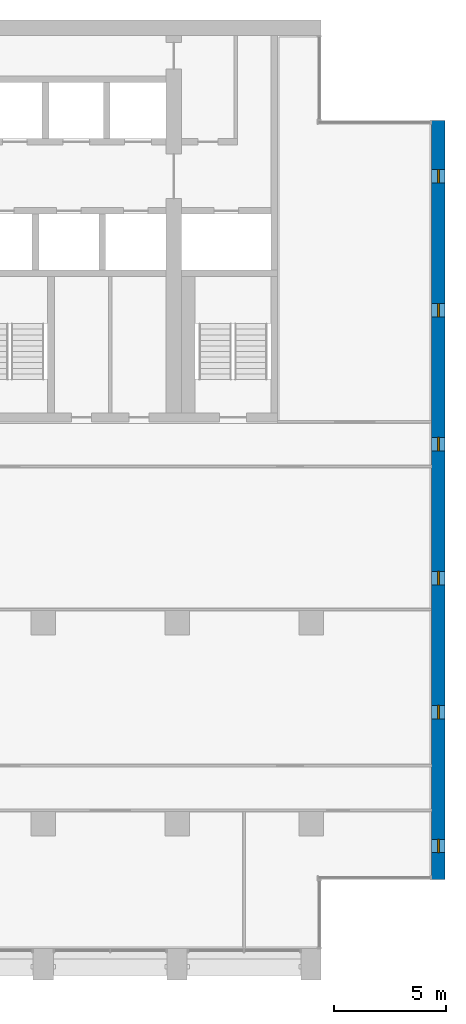
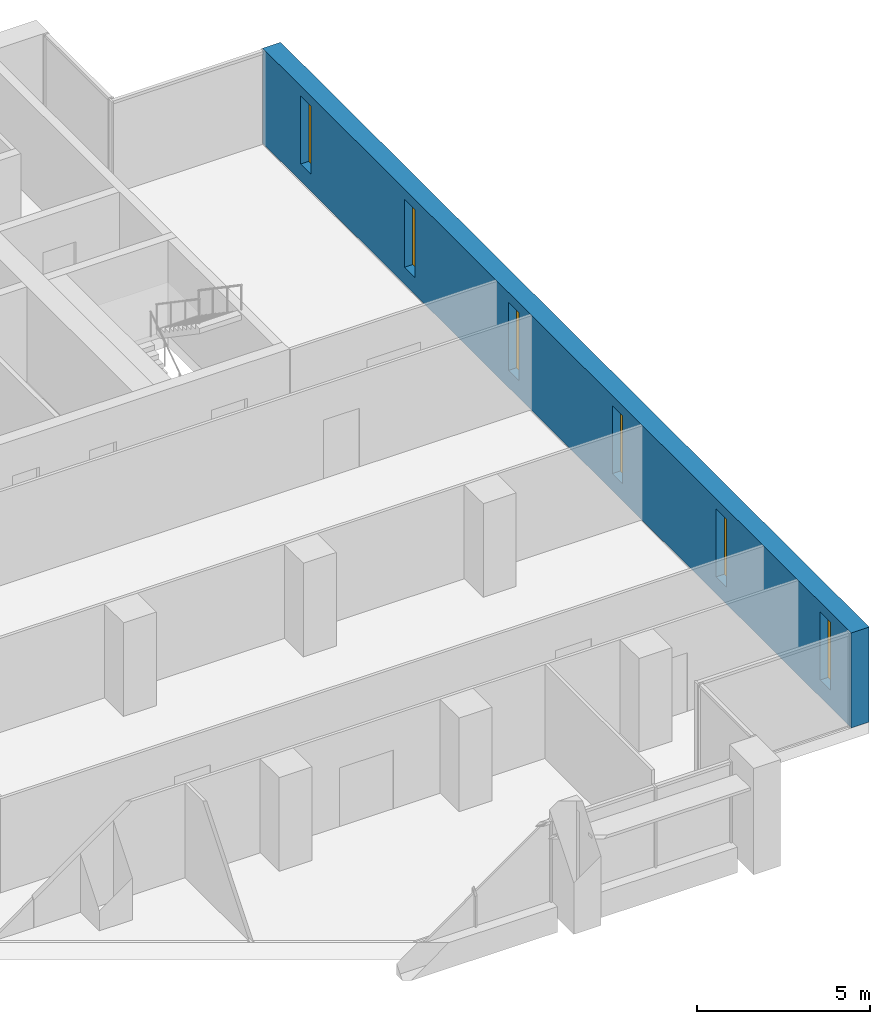
# One storey, part 12 of 17: 6 windows, 1 wall, 6 openings.
"""IFC4 building model written with IfcOpenShell, lengths in metres."""

from ifc_helpers import new_model, si_unit, direction, frame, frame_2d, origin, place, context, subcontext, project, spatial, rectangle, extrude, material, layer, layer_set, type_object, element, fill, save


model = new_model("IFC4")

# Units and contexts
model_context = context("Model", 3, precision=1e-05, world=origin(), true_north=direction((0.0, 1.0)))
body_context = subcontext(model_context, "Body", "Model", "MODEL_VIEW")
ifc_project = project(units=[si_unit("LENGTHUNIT", "METRE"), si_unit("AREAUNIT", "SQUARE_METRE"), si_unit("VOLUMEUNIT", "CUBIC_METRE"), si_unit("PLANEANGLEUNIT", "RADIAN"), si_unit("MASSUNIT", "GRAM", prefix="KILO")], contexts=[model_context])

# Site, building, storey
site_placement = place(None, origin())
site = spatial("IfcSite", under=ifc_project, at=site_placement, CompositionType="ELEMENT")
building_placement = place(site_placement, origin())
building = spatial("IfcBuilding", under=site, at=building_placement, Name="Calvaro Tower", CompositionType="ELEMENT")
storey_placement = place(building_placement, frame((0.0, 0.0, 193.0)))
storey = spatial("IfcBuildingStorey", under=building, at=storey_placement, Name="L48", CompositionType="ELEMENT", Elevation=193.0)

# Wall, openings, windows
ifc_material_1 = material(Name="Concrete C50/60", Category="concrete")
ifc_layer = layer(ifc_material_1, 0.60009765625)
ifc_layer_set = layer_set([ifc_layer], Name="Concrete C50/60")
wall_type = type_object("IfcWallType", Name="End wall 600 C50/60", PredefinedType="SHEAR", material=ifc_layer_set)
wall_placement = place(storey_placement, frame((71.699951171875, 7.5, 0.0), z_axis=(0.0, 0.0, 1.0), x_axis=(0.0, 1.0, 0.0)))
wall = element("IfcWall", 1, at=wall_placement, inside=storey, type_object=wall_type, Name="End shear wall", PredefinedType="SHEAR", context=body_context, shape_type="SweptSolid", body=[
    extrude(rectangle(XDim=34.0, YDim=0.60009765625, at=frame_2d((17.0, 0.0))), origin(), (0.0, 0.0, 1.0), 3.35009765625),
])
opening_1_placement = place(wall_placement, frame((1.199951171875, 0.0, 0.60009765625)))
opening_1 = element("IfcOpeningElement", 2, at=opening_1_placement, cuts=wall, Name="Opening WE01", PredefinedType="OPENING", context=body_context, shape_type="SweptSolid", body=[
    extrude(rectangle(XDim=0.60009765625, YDim=2.39990234375, at=frame_2d((0.300048828125, 1.199951171875))), frame((0.0, 0.31005859375, 0.0), z_axis=(0.0, -1.0, 0.0), x_axis=(1.0, 0.0, 0.0)), (0.0, 0.0, 1.0), 0.6201171875),
])
opening_2_placement = place(wall_placement, frame((7.199951171875, 0.0, 0.60009765625)))
opening_2 = element("IfcOpeningElement", 3, at=opening_2_placement, cuts=wall, Name="Opening WE02", PredefinedType="OPENING", context=body_context, shape_type="SweptSolid", body=[
    extrude(rectangle(XDim=0.60009765625, YDim=2.39990234375, at=frame_2d((0.300048828125, 1.199951171875))), frame((0.0, 0.31005859375, 0.0), z_axis=(0.0, -1.0, 0.0), x_axis=(1.0, 0.0, 0.0)), (0.0, 0.0, 1.0), 0.6201171875),
])
opening_3_placement = place(wall_placement, frame((13.199951171875, 0.0, 0.60009765625)))
opening_3 = element("IfcOpeningElement", 4, at=opening_3_placement, cuts=wall, Name="Opening WE03", PredefinedType="OPENING", context=body_context, shape_type="SweptSolid", body=[
    extrude(rectangle(XDim=0.60009765625, YDim=2.39990234375, at=frame_2d((0.300048828125, 1.199951171875))), frame((0.0, 0.31005859375, 0.0), z_axis=(0.0, -1.0, 0.0), x_axis=(1.0, 0.0, 0.0)), (0.0, 0.0, 1.0), 0.6201171875),
])
opening_4_placement = place(wall_placement, frame((19.199951171875, 0.0, 0.60009765625)))
opening_4 = element("IfcOpeningElement", 5, at=opening_4_placement, cuts=wall, Name="Opening WE04", PredefinedType="OPENING", context=body_context, shape_type="SweptSolid", body=[
    extrude(rectangle(XDim=0.60009765625, YDim=2.39990234375, at=frame_2d((0.300048828125, 1.199951171875))), frame((0.0, 0.31005859375, 0.0), z_axis=(0.0, -1.0, 0.0), x_axis=(1.0, 0.0, 0.0)), (0.0, 0.0, 1.0), 0.6201171875),
])
opening_5_placement = place(wall_placement, frame((25.199951171875, 0.0, 0.60009765625)))
opening_5 = element("IfcOpeningElement", 6, at=opening_5_placement, cuts=wall, Name="Opening WE05", PredefinedType="OPENING", context=body_context, shape_type="SweptSolid", body=[
    extrude(rectangle(XDim=0.60009765625, YDim=2.39990234375, at=frame_2d((0.300048828125, 1.199951171875))), frame((0.0, 0.31005859375, 0.0), z_axis=(0.0, -1.0, 0.0), x_axis=(1.0, 0.0, 0.0)), (0.0, 0.0, 1.0), 0.6201171875),
])
opening_6_placement = place(wall_placement, frame((31.199951171875, 0.0, 0.60009765625)))
opening_6 = element("IfcOpeningElement", 7, at=opening_6_placement, cuts=wall, Name="Opening WE06", PredefinedType="OPENING", context=body_context, shape_type="SweptSolid", body=[
    extrude(rectangle(XDim=0.60009765625, YDim=2.39990234375, at=frame_2d((0.300048828125, 1.199951171875))), frame((0.0, 0.31005859375, 0.0), z_axis=(0.0, -1.0, 0.0), x_axis=(1.0, 0.0, 0.0)), (0.0, 0.0, 1.0), 0.6201171875),
])
ifc_material_2 = material(Name="Glass", Category="glass")
window_type = type_object("IfcWindowType", Name="Slit window 600 x 2400", PartitioningType="SINGLE_PANEL", PredefinedType="WINDOW", material=ifc_material_2)
window_1_placement = place(opening_1_placement, origin())
window_1 = element("IfcWindow", 8, at=window_1_placement, inside=storey, type_object=window_type, Name="Window WE01", OverallHeight=2.39990234375, OverallWidth=0.60009765625, PartitioningType="SINGLE_PANEL", PredefinedType="WINDOW", context=body_context, shape_type="SweptSolid", body=[
    extrude(rectangle(XDim=0.60009765625, YDim=2.39990234375, at=frame_2d((0.300048828125, 1.199951171875))), frame((0.0, 0.030029296875, 0.0), z_axis=(0.0, -1.0, 0.0), x_axis=(1.0, 0.0, 0.0)), (0.0, 0.0, 1.0), 0.06005859375),
])
fill(opening_1, window_1)
window_2_placement = place(opening_2_placement, origin())
window_2 = element("IfcWindow", 9, at=window_2_placement, inside=storey, type_object=window_type, Name="Window WE02", OverallHeight=2.39990234375, OverallWidth=0.60009765625, PartitioningType="SINGLE_PANEL", PredefinedType="WINDOW", context=body_context, shape_type="SweptSolid", body=[
    extrude(rectangle(XDim=0.60009765625, YDim=2.39990234375, at=frame_2d((0.300048828125, 1.199951171875))), frame((0.0, 0.030029296875, 0.0), z_axis=(0.0, -1.0, 0.0), x_axis=(1.0, 0.0, 0.0)), (0.0, 0.0, 1.0), 0.06005859375),
])
fill(opening_2, window_2)
window_3_placement = place(opening_3_placement, origin())
window_3 = element("IfcWindow", 10, at=window_3_placement, inside=storey, type_object=window_type, Name="Window WE03", OverallHeight=2.39990234375, OverallWidth=0.60009765625, PartitioningType="SINGLE_PANEL", PredefinedType="WINDOW", context=body_context, shape_type="SweptSolid", body=[
    extrude(rectangle(XDim=0.60009765625, YDim=2.39990234375, at=frame_2d((0.300048828125, 1.199951171875))), frame((0.0, 0.030029296875, 0.0), z_axis=(0.0, -1.0, 0.0), x_axis=(1.0, 0.0, 0.0)), (0.0, 0.0, 1.0), 0.06005859375),
])
fill(opening_3, window_3)
window_4_placement = place(opening_4_placement, origin())
window_4 = element("IfcWindow", 11, at=window_4_placement, inside=storey, type_object=window_type, Name="Window WE04", OverallHeight=2.39990234375, OverallWidth=0.60009765625, PartitioningType="SINGLE_PANEL", PredefinedType="WINDOW", context=body_context, shape_type="SweptSolid", body=[
    extrude(rectangle(XDim=0.60009765625, YDim=2.39990234375, at=frame_2d((0.300048828125, 1.199951171875))), frame((0.0, 0.030029296875, 0.0), z_axis=(0.0, -1.0, 0.0), x_axis=(1.0, 0.0, 0.0)), (0.0, 0.0, 1.0), 0.06005859375),
])
fill(opening_4, window_4)
window_5_placement = place(opening_5_placement, origin())
window_5 = element("IfcWindow", 12, at=window_5_placement, inside=storey, type_object=window_type, Name="Window WE05", OverallHeight=2.39990234375, OverallWidth=0.60009765625, PartitioningType="SINGLE_PANEL", PredefinedType="WINDOW", context=body_context, shape_type="SweptSolid", body=[
    extrude(rectangle(XDim=0.60009765625, YDim=2.39990234375, at=frame_2d((0.300048828125, 1.199951171875))), frame((0.0, 0.030029296875, 0.0), z_axis=(0.0, -1.0, 0.0), x_axis=(1.0, 0.0, 0.0)), (0.0, 0.0, 1.0), 0.06005859375),
])
fill(opening_5, window_5)
window_6_placement = place(opening_6_placement, origin())
window_6 = element("IfcWindow", 13, at=window_6_placement, inside=storey, type_object=window_type, Name="Window WE06", OverallHeight=2.39990234375, OverallWidth=0.60009765625, PartitioningType="SINGLE_PANEL", PredefinedType="WINDOW", context=body_context, shape_type="SweptSolid", body=[
    extrude(rectangle(XDim=0.60009765625, YDim=2.39990234375, at=frame_2d((0.300048828125, 1.199951171875))), frame((0.0, 0.030029296875, 0.0), z_axis=(0.0, -1.0, 0.0), x_axis=(1.0, 0.0, 0.0)), (0.0, 0.0, 1.0), 0.06005859375),
])
fill(opening_6, window_6)

save(model, "model.ifc")
